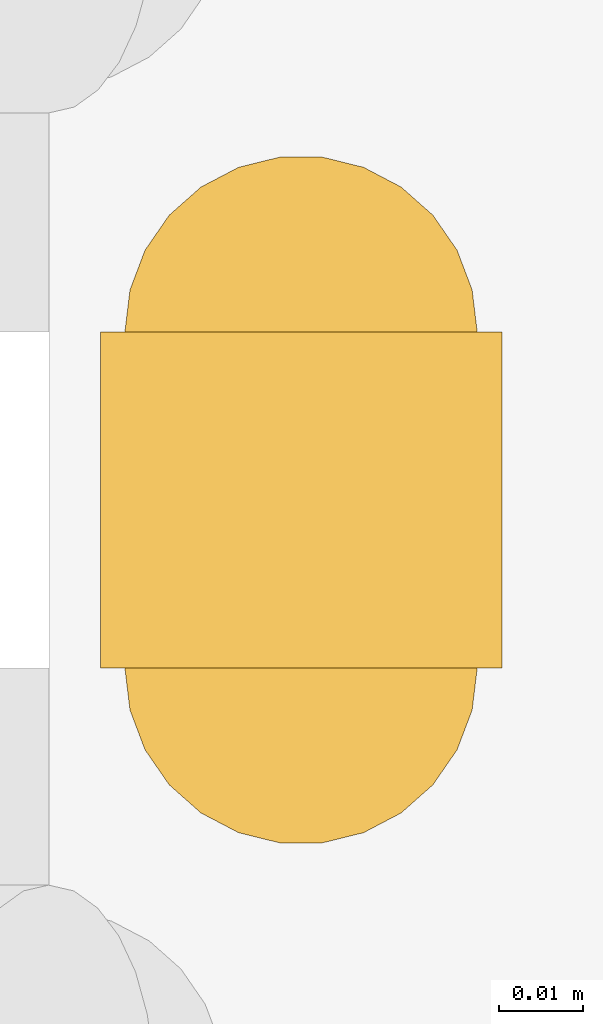
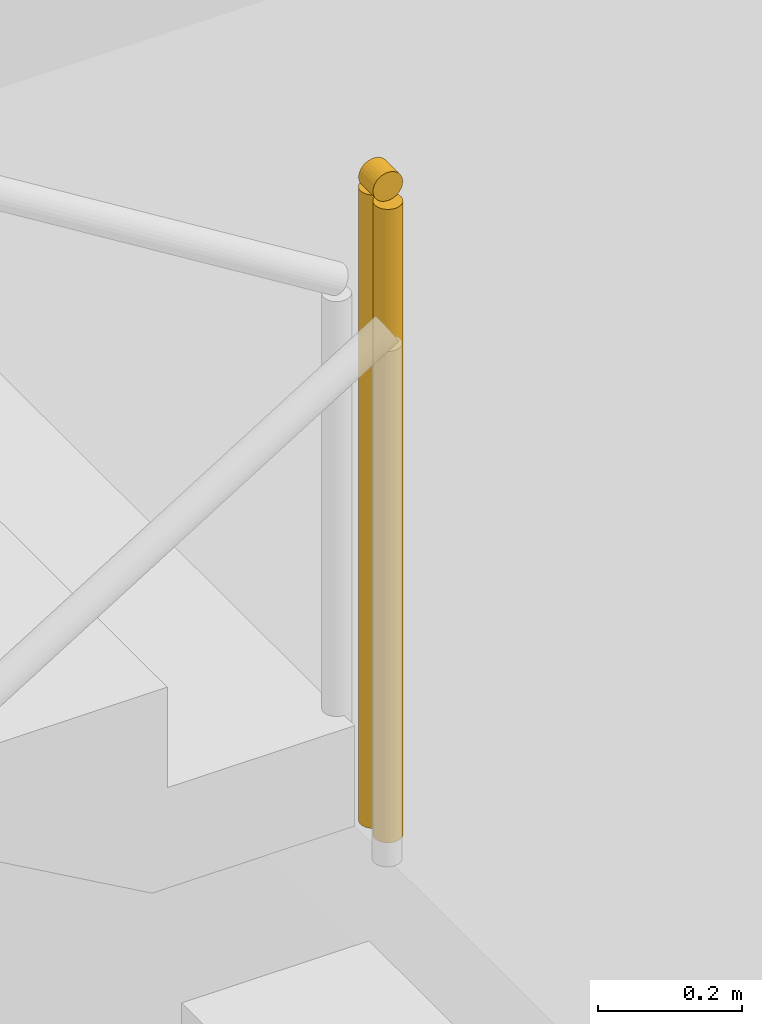
# One storey, part 70 of 72: 1 railing.
"""IFC4 building model written with IfcOpenShell, lengths in metres."""

from ifc_helpers import new_model, si_unit, direction, frame, origin, origin_2d, place, context, subcontext, project, spatial, circle, extrude, material, type_object, element, save


model = new_model("IFC4")

# Units and contexts
model_context = context("Model", 3, precision=1e-05, world=origin(), true_north=direction((0.0, 1.0)))
body_context = subcontext(model_context, "Body", "Model", "MODEL_VIEW")
ifc_project = project(units=[si_unit("LENGTHUNIT", "METRE"), si_unit("AREAUNIT", "SQUARE_METRE"), si_unit("VOLUMEUNIT", "CUBIC_METRE"), si_unit("PLANEANGLEUNIT", "RADIAN"), si_unit("MASSUNIT", "GRAM", prefix="KILO")], contexts=[model_context])

# Site, building, storey
site_placement = place(None, origin())
site = spatial("IfcSite", under=ifc_project, at=site_placement, CompositionType="ELEMENT")
building_placement = place(site_placement, origin())
building = spatial("IfcBuilding", under=site, at=building_placement, Name="Asteropetra Specialist Clinic", CompositionType="ELEMENT")
storey_placement = place(building_placement, frame((0.0, 0.0, 12.580078125)))
storey = spatial("IfcBuildingStorey", under=building, at=storey_placement, Name="L03", CompositionType="ELEMENT", Elevation=12.580078125)

# Railing
ifc_material = material(Name="Steel S355 and laminated glass guard", Category="steel")
railing_type = type_object("IfcRailingType", Name="GRD-INT-1120", PredefinedType="GUARDRAIL", material=ifc_material)
railing_placement = place(storey_placement, frame((130.080078125, 45.669921875, 2.0400390625)))
element("IfcRailing", 1, at=railing_placement, inside=storey, type_object=railing_type, Name="Landing Slot Guard ST09-L03", PredefinedType="GUARDRAIL", context=body_context, shape_type="SweptSolid", body=[
    extrude(circle(Radius=0.02392578125, at=origin_2d()), frame((0.0, 0.0, 1.09619140625), z_axis=(0.0, 1.0, 0.0), x_axis=(-1.0, 0.0, 0.0)), (0.0, 0.0, 1.0), 0.0400390625),
    extrude(circle(Radius=0.02099609375, at=origin_2d()), origin(), (0.0, 0.0, 1.0), 1.072021484375),
    extrude(circle(Radius=0.02099609375, at=origin_2d()), frame((0.0, 0.0400390625, 0.0)), (0.0, 0.0, 1.0), 1.072021484375),
])

save(model, "model.ifc")
